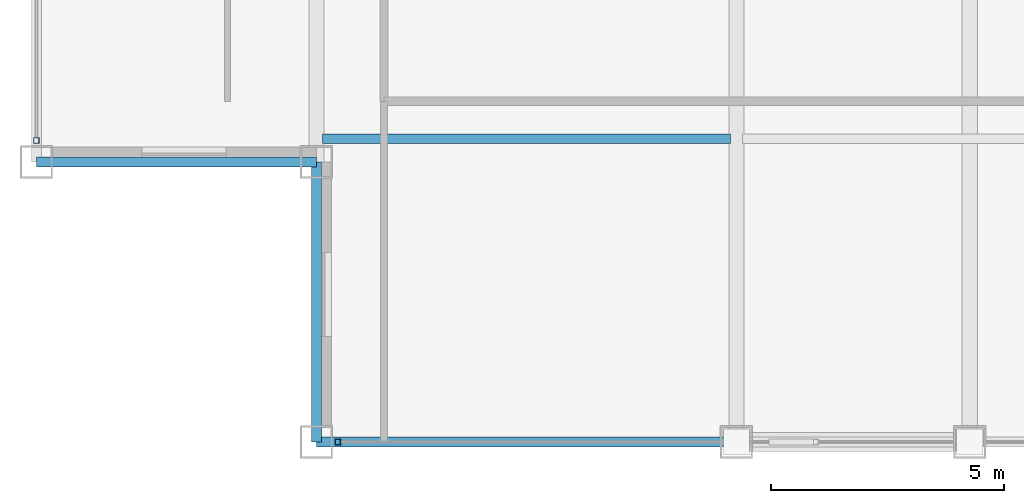
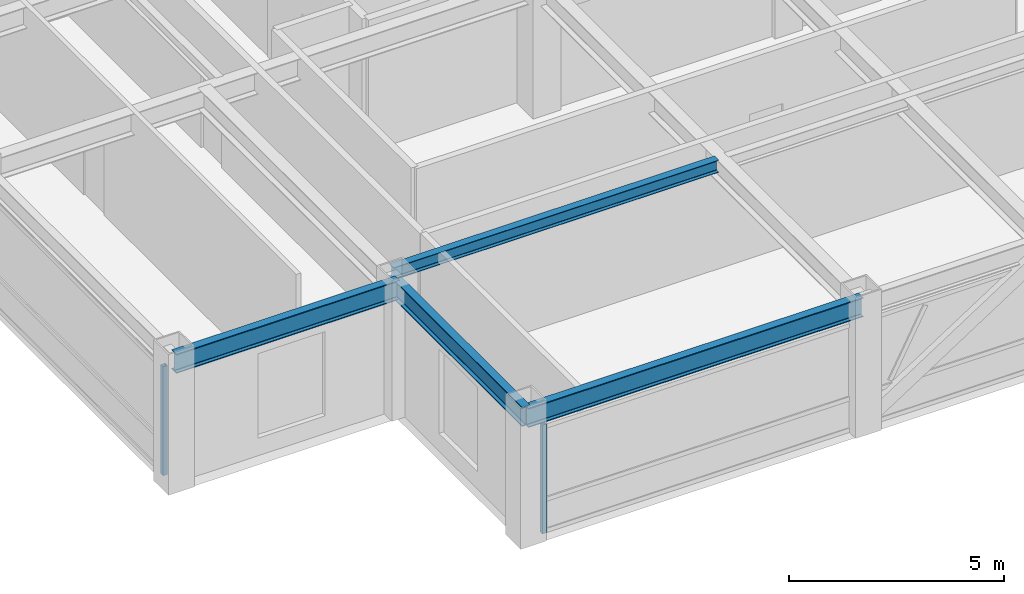
# One storey, part 2 of 29: 4 beams, 2 members, 2 elements without a shape of their own.
"""IFC4 building model written with IfcOpenShell, lengths in metres."""

import ifcopenshell
import ifcopenshell.guid

model = None  # the IFC model being written
_history = None  # IfcOwnerHistory: only IFC2X3 demands one
_inside = {}  # id of a spatial element -> (the spatial element, [elements in it])
_under = {}  # id of a project, library or spatial element -> (it, [spatial elements below it])
_declared = {}  # id of a project -> (the project, [libraries it declares])
_typed = {}  # id of a type object -> (the type object, [elements of that type])
_made_of = {}  # id of a material, layer set ... -> (it, [elements and type objects made of it])


def new_model(schema):
    """Start an empty IFC model of exactly this schema.

    Asked for "IFC4X3", IfcOpenShell would pick the latest addendum, in which some entities
    have other attributes; the version numbers below select the first issue.
    IFC2X3 requires an IfcOwnerHistory on every rooted entity: one is made here for all.
    """
    global model, _history
    if schema == "IFC4X3":
        model = ifcopenshell.file(schema_version=(4, 3, 0, 0))
    else:
        model = ifcopenshell.file(schema=schema)
    _inside.clear()
    _under.clear()
    _declared.clear()
    _typed.clear()
    _made_of.clear()
    _history = None
    if model.schema == "IFC2X3":
        org = make("IfcOrganization", Name="unknown")
        user = make(
            "IfcPersonAndOrganization",
            ThePerson=make("IfcPerson", FamilyName="unknown"),
            TheOrganization=org,
        )
        app = make(
            "IfcApplication",
            ApplicationDeveloper=org,
            Version="unknown",
            ApplicationFullName="unknown",
            ApplicationIdentifier="unknown",
        )
        _history = make(
            "IfcOwnerHistory",
            OwningUser=user,
            OwningApplication=app,
            ChangeAction="ADDED",
            CreationDate=0,
        )
    return model


def make(cls, **values):
    """One entity of the class cls with the attributes given. An attribute that is None is left unset."""
    return model.create_entity(
        cls, **{name: value for name, value in values.items() if value is not None}
    )


def rooted(cls, **values):
    """An entity with a GlobalId (a new one), such as an element, a storey or a relation."""
    return make(cls, GlobalId=ifcopenshell.guid.new(), OwnerHistory=_history, **values)


def si_unit(unit_type, name, prefix=None):
    """IfcSIUnit, for example si_unit("LENGTHUNIT", "METRE", prefix="MILLI")."""
    return make("IfcSIUnit", UnitType=unit_type, Prefix=prefix, Name=name)


def assignment(units):
    """IfcUnitAssignment: the units of a project."""
    return None if units is None else make("IfcUnitAssignment", Units=units)


def point(xyz):
    """IfcCartesianPoint."""
    return None if xyz is None else make("IfcCartesianPoint", Coordinates=xyz)


def direction(xyz):
    """IfcDirection."""
    return None if xyz is None else make("IfcDirection", DirectionRatios=xyz)


def frame(location, z_axis=None, x_axis=None):
    """IfcAxis2Placement3D, a coordinate frame: its origin and axes. An axis left out is left unset."""
    return make(
        "IfcAxis2Placement3D",
        Location=point(location),
        Axis=direction(z_axis),
        RefDirection=direction(x_axis),
    )


def frame_2d(location, x_axis=None):
    """IfcAxis2Placement2D, a coordinate frame in the plane: its origin and x axis."""
    return make(
        "IfcAxis2Placement2D", Location=point(location), RefDirection=direction(x_axis)
    )


def origin():
    """The frame at (0, 0, 0) with its axes left unset."""
    return frame((0.0, 0.0, 0.0))


def origin_2d():
    """The frame at (0, 0) in the plane with its x axis left unset."""
    return frame_2d((0.0, 0.0))


def place(relative_to, where):
    """IfcLocalPlacement: puts the frame where relative to a parent placement (None: the world)."""
    return make(
        "IfcLocalPlacement", PlacementRelTo=relative_to, RelativePlacement=where
    )


def context(
    kind, dimensions, precision=None, world=None, true_north=None, identifier=None
):
    """IfcGeometricRepresentationContext, for example the 3D "Model" context."""
    return make(
        "IfcGeometricRepresentationContext",
        ContextIdentifier=identifier,
        ContextType=kind,
        CoordinateSpaceDimension=dimensions,
        Precision=precision,
        WorldCoordinateSystem=world,
        TrueNorth=true_north,
    )


def subcontext(parent, identifier, kind, view, scale=None):
    """IfcGeometricRepresentationSubContext, for example "Body" below "Model"."""
    return make(
        "IfcGeometricRepresentationSubContext",
        ContextIdentifier=identifier,
        ContextType=kind,
        ParentContext=parent,
        TargetScale=scale,
        TargetView=view,
    )


def project(units=None, contexts=None):
    """IfcProject with its units and contexts."""
    return rooted(
        "IfcProject",
        Name="project",
        RepresentationContexts=contexts,
        UnitsInContext=assignment(units),
    )


def spatial(cls, under=None, at=None, **own):
    """A site, building, storey or space (cls), placed at a placement, below another one or the project."""
    s = rooted(cls, ObjectPlacement=at, **own)
    if under is not None:
        _under.setdefault(under.id(), (under, []))[1].append(s)
    return s


def profile(cls, at=None, kind="AREA", **sizes):
    """A parametric profile (cls). Its sizes go by their IFC names, for example OverallWidth=200.0."""
    return make(cls, ProfileType=kind, Position=at, **sizes)


def hollow_rectangle(**sizes):
    """IfcRectangleHollowProfileDef."""
    return profile("IfcRectangleHollowProfileDef", **sizes)


def i_section(**sizes):
    """IfcIShapeProfileDef."""
    return profile("IfcIShapeProfileDef", **sizes)


def extrude(swept, where, along, depth):
    """IfcExtrudedAreaSolid: the profile swept, set in the frame where, extruded along a direction by depth."""
    return make(
        "IfcExtrudedAreaSolid",
        SweptArea=swept,
        Position=where,
        ExtrudedDirection=direction(along),
        Depth=depth,
    )


def shape(context_of_items, identifier, shape_type, items):
    """IfcShapeRepresentation: the items that make up one representation, for example the "Body"."""
    return make(
        "IfcShapeRepresentation",
        ContextOfItems=context_of_items,
        RepresentationIdentifier=identifier,
        RepresentationType=shape_type,
        Items=items,
    )


def source(mapping_origin, context_of_items, identifier, shape_type, items):
    """IfcRepresentationMap: a shape defined once, which mapped items show again and again."""
    return make(
        "IfcRepresentationMap",
        MappingOrigin=mapping_origin,
        MappedRepresentation=shape(context_of_items, identifier, shape_type, items),
    )


def transform(
    local_origin,
    x_axis=None,
    y_axis=None,
    z_axis=None,
    scale=None,
    scale2=None,
    scale3=None,
    uniform=True,
):
    """IfcCartesianTransformationOperator3D, or its non-uniform kind. x_axis, y_axis, z_axis: its Axis1, 2, 3."""
    if uniform:
        return make(
            "IfcCartesianTransformationOperator3D",
            Axis1=direction(x_axis),
            Axis2=direction(y_axis),
            LocalOrigin=point(local_origin),
            Scale=scale,
            Axis3=direction(z_axis),
        )
    return make(
        "IfcCartesianTransformationOperator3DnonUniform",
        Axis1=direction(x_axis),
        Axis2=direction(y_axis),
        LocalOrigin=point(local_origin),
        Scale=scale,
        Axis3=direction(z_axis),
        Scale2=scale2,
        Scale3=scale3,
    )


def mapped(mapping_source, mapping_target):
    """IfcMappedItem: shows the shape of a source again, moved by a transform."""
    return make(
        "IfcMappedItem", MappingSource=mapping_source, MappingTarget=mapping_target
    )


def material(Name=None, Category=None):
    """IfcMaterial."""
    return make("IfcMaterial", Name=Name, Category=Category)


def material_profile(
    of_material, cross_section, Name=None, Category=None, Priority=None
):
    """IfcMaterialProfile: a cross section and its material."""
    return make(
        "IfcMaterialProfile",
        Name=Name,
        Material=of_material,
        Profile=cross_section,
        Priority=Priority,
        Category=Category,
    )


def profile_set(profiles, Name=None, composite=None):
    """IfcMaterialProfileSet."""
    return make(
        "IfcMaterialProfileSet",
        Name=Name,
        MaterialProfiles=profiles,
        CompositeProfile=composite,
    )


def made_of(thing, what):
    """Note that an element or type object is made of a material, layer set ...; save() writes the relation."""
    if what is not None:
        _made_of.setdefault(what.id(), (what, []))[1].append(thing)
    return thing


def type_object(cls, material=None, **own):
    """A type object (cls), such as IfcWallType, which elements share."""
    return made_of(rooted(cls, **own), material)


def element(
    cls,
    number,
    at=None,
    inside=None,
    cuts=None,
    type_object=None,
    material=None,
    context=None,
    identifier="Body",
    shape_type=None,
    held_by="IfcProductDefinitionShape",
    body=None,
    shapes=None,
    **own,
):
    """One element of the class cls, such as IfcWall. Its Tag is "e" and its number.

    at: its placement. inside: the storey or other place that contains it. cuts: it is an
    opening in that element (IfcRelVoidsElement). A single representation is given by context,
    identifier, shape_type and body (its items); several are given by shapes. held_by: the class
    of the entity that holds the representations. save() writes the other relations.
    """
    e = rooted(cls, Tag="e%d" % number, ObjectPlacement=at, **own)
    if body is not None:
        shapes = [shape(context, identifier, shape_type, body)]
    if shapes is not None:
        e.Representation = make(held_by, Representations=shapes)
    if inside is not None:
        _inside.setdefault(inside.id(), (inside, []))[1].append(e)
    if cuts is not None:
        rooted(
            "IfcRelVoidsElement", RelatingBuildingElement=cuts, RelatedOpeningElement=e
        )
    if type_object is not None:
        _typed.setdefault(type_object.id(), (type_object, []))[1].append(e)
    return made_of(e, material)


def aggregate(whole, parts):
    """IfcRelAggregates: a whole, such as a stair, and the parts it consists of."""
    return rooted("IfcRelAggregates", RelatingObject=whole, RelatedObjects=parts)


def save(model, path):
    """Write the relations noted so far, then the file.

    IfcRelAggregates (storeys below a building ...), IfcRelContainedInSpatialStructure (elements
    in a storey), IfcRelDefinesByType, IfcRelAssociatesMaterial and IfcRelDeclares: one each for
    every whole, place, type object, material and project.
    """
    for whole, parts in _under.values():
        aggregate(whole, parts)
    for where, things in _inside.values():
        rooted(
            "IfcRelContainedInSpatialStructure",
            RelatedElements=things,
            RelatingStructure=where,
        )
    for kind, things in _typed.values():
        rooted("IfcRelDefinesByType", RelatedObjects=things, RelatingType=kind)
    for what, things in _made_of.values():
        rooted("IfcRelAssociatesMaterial", RelatedObjects=things, RelatingMaterial=what)
    for by, libraries in _declared.values():
        rooted("IfcRelDeclares", RelatingContext=by, RelatedDefinitions=libraries)
    model.write(path)


model = new_model("IFC4")

# Units and contexts
model_context = context("Model", 3, precision=1e-05, world=origin(), true_north=direction((0.0, 1.0)))
body_context = subcontext(model_context, "Body", "Model", "MODEL_VIEW")
ifc_project = project(units=[si_unit("LENGTHUNIT", "METRE"), si_unit("AREAUNIT", "SQUARE_METRE"), si_unit("VOLUMEUNIT", "CUBIC_METRE"), si_unit("PLANEANGLEUNIT", "RADIAN"), si_unit("MASSUNIT", "GRAM", prefix="KILO")], contexts=[model_context])

# Site, building, storey
site_placement = place(None, origin())
site = spatial("IfcSite", under=ifc_project, at=site_placement, CompositionType="ELEMENT")
building_placement = place(site_placement, origin())
building = spatial("IfcBuilding", under=site, at=building_placement, Name="Khorayat Bourse Tower", CompositionType="ELEMENT")
storey_placement = place(building_placement, frame((0.0, 0.0, 366.300048828125)))
storey = spatial("IfcBuildingStorey", under=building, at=storey_placement, Name="L87", CompositionType="ELEMENT", Elevation=366.300048828125)

# Beams
ifc_material_1 = material(Name="Steel ASTM A992 Grade 50", Category="steel")
ifc_material_profile_1 = material_profile(ifc_material_1, i_section(OverallWidth=0.214111328125, OverallDepth=0.549072265625, WebThickness=0.0146484375, FlangeThickness=0.023681640625, FilletRadius=0.013916015625, at=origin_2d()), Name="W530X138")
ifc_profile_set_1 = profile_set([ifc_material_profile_1], Name="Steel ASTM A992 Grade 50")
beam_type_1 = type_object("IfcBeamType", Name="BM-SPAN-530", PredefinedType="SPANDREL", material=ifc_profile_set_1)
shared_shape_1 = source(origin(), body_context, "Body", "SweptSolid", [
    extrude(i_section(OverallWidth=0.214111328125, OverallDepth=0.549072265625, WebThickness=0.0146484375, FlangeThickness=0.023681640625, FilletRadius=0.013916015625, at=origin_2d()), origin(), (0.0, 0.0, 1.0), 9.0),
])
beam_1_placement = place(storey_placement, frame((-20.0, -26.0, 3.46533203125), z_axis=(1.0, 0.0, 0.0), x_axis=(0.0, 1.0, 0.0)))
element("IfcBeam", 1, at=beam_1_placement, inside=storey, type_object=beam_type_1, Name="L87 BM-SPAN-530 BM-L87-SPN-024", PredefinedType="SPANDREL", context=body_context, shape_type="MappedRepresentation", body=[
    mapped(shared_shape_1, transform((0.0, 0.0, 0.0), scale=1.0)),
])
shared_shape_2 = source(origin(), body_context, "Body", "SweptSolid", [
    extrude(i_section(OverallWidth=0.214111328125, OverallDepth=0.549072265625, WebThickness=0.0146484375, FlangeThickness=0.023681640625, FilletRadius=0.013916015625, at=origin_2d()), origin(), (0.0, 0.0, 1.0), 6.0),
])
for number, where, z_axis, x_axis, name in (
    (2, (-26.0, -20.0, 3.46533203125), (1.0, 0.0, 0.0), (0.0, 1.0, 0.0), "L87 BM-SPAN-530 BM-L87-SPN-054"),
    (3, (-20.0, -26.0, 3.46533203125), (0.0, 1.0, 0.0), (-1.0, 0.0, 0.0), "L87 BM-SPAN-530 BM-L87-SPN-055"),
):
    element("IfcBeam", number, at=place(storey_placement, frame(where, z_axis=z_axis, x_axis=x_axis)), inside=storey, type_object=beam_type_1, Name=name, PredefinedType="SPANDREL", context=body_context, shape_type="MappedRepresentation", body=[
        mapped(shared_shape_2, transform((0.0, 0.0, 0.0), scale=1.0)),
    ])
ifc_material_profile_2 = material_profile(ifc_material_1, i_section(OverallWidth=0.202880859375, OverallDepth=0.346923828125, WebThickness=0.0078125, FlangeThickness=0.013427734375, FilletRadius=0.010009765625, at=origin_2d()), Name="W360X64")
ifc_profile_set_2 = profile_set([ifc_material_profile_2], Name="Steel ASTM A992 Grade 50")
beam_type_2 = type_object("IfcBeamType", Name="BM-JOIST-360", PredefinedType="JOIST", material=ifc_profile_set_2)
shared_shape_3 = source(origin(), body_context, "Body", "SweptSolid", [
    extrude(i_section(OverallWidth=0.202880859375, OverallDepth=0.346923828125, WebThickness=0.0078125, FlangeThickness=0.013427734375, FilletRadius=0.010009765625, at=origin_2d()), origin(), (0.0, 0.0, 1.0), 8.740234375),
])
beam_2_placement = place(storey_placement, frame((-19.8701171875, -19.5, 3.56640625), z_axis=(1.0, 0.0, 0.0), x_axis=(0.0, 1.0, 0.0)))
element("IfcBeam", 4, at=beam_2_placement, inside=storey, type_object=beam_type_2, Name="L87 BM-JOIST-360 BM-L87-JSTX-080", PredefinedType="JOIST", context=body_context, shape_type="MappedRepresentation", body=[
    mapped(shared_shape_3, transform((0.0, 0.0, 0.0), scale=1.0)),
])

# Curtain wall, member
ifc_material_2 = material(Name="Aluminium EN AW-6063 T6", Category="aluminium")
curtain_wall_type = type_object("IfcCurtainWallType", Name="CW-SYS-04", PredefinedType="NOTDEFINED", material=ifc_material_2)
curtain_wall_1_placement = place(storey_placement, origin())
curtain_wall_1 = element("IfcCurtainWall", 5, at=curtain_wall_1_placement, inside=storey, type_object=curtain_wall_type, Name="L87 Curtain Wall CW-L87-S1", PredefinedType="NOTDEFINED")
ifc_material_profile_3 = material_profile(ifc_material_2, hollow_rectangle(XDim=0.1201171875, YDim=0.1201171875, WallThickness=0.0048828125, at=origin_2d()), Name="ALU 120x120x5")
ifc_profile_set_3 = profile_set([ifc_material_profile_3], Name="Aluminium EN AW-6063 T6")
member_type = type_object("IfcMemberType", Name="CWM-VERT-120", PredefinedType="MULLION", material=ifc_profile_set_3)
shared_shape_4 = source(origin(), body_context, "Body", "SweptSolid", [
    extrude(hollow_rectangle(XDim=0.1201171875, YDim=0.1201171875, WallThickness=0.0048828125, at=origin_2d()), origin(), (0.0, 0.0, 1.0), 3.08984375),
])
member_1_placement = place(storey_placement, frame((-19.5400390625, -26.0, 0.0), z_axis=(0.0, 0.0, 1.0), x_axis=(0.0, 1.0, 0.0)))
member_1 = element("IfcMember", 6, at=member_1_placement, type_object=member_type, Name="CW-L87-S1 Vertical Mullion 1", PredefinedType="MULLION", context=body_context, shape_type="MappedRepresentation", body=[
    mapped(shared_shape_4, transform((0.0, 0.0, 0.0), scale=1.0)),
])
aggregate(curtain_wall_1, [member_1])

curtain_wall_2_placement = place(storey_placement, origin())
curtain_wall_2 = element("IfcCurtainWall", 7, at=curtain_wall_2_placement, inside=storey, type_object=curtain_wall_type, Name="L87 Curtain Wall CW-L87-W1", PredefinedType="NOTDEFINED")
member_2_placement = place(storey_placement, frame((-26.0, -19.5400390625, 0.0), z_axis=(0.0, 0.0, 1.0), x_axis=(-1.0, 0.0, 0.0)))
member_2 = element("IfcMember", 8, at=member_2_placement, type_object=member_type, Name="CW-L87-W1 Vertical Mullion 1", PredefinedType="MULLION", context=body_context, shape_type="MappedRepresentation", body=[
    mapped(shared_shape_4, transform((0.0, 0.0, 0.0), scale=1.0)),
])
aggregate(curtain_wall_2, [member_2])

save(model, "model.ifc")
